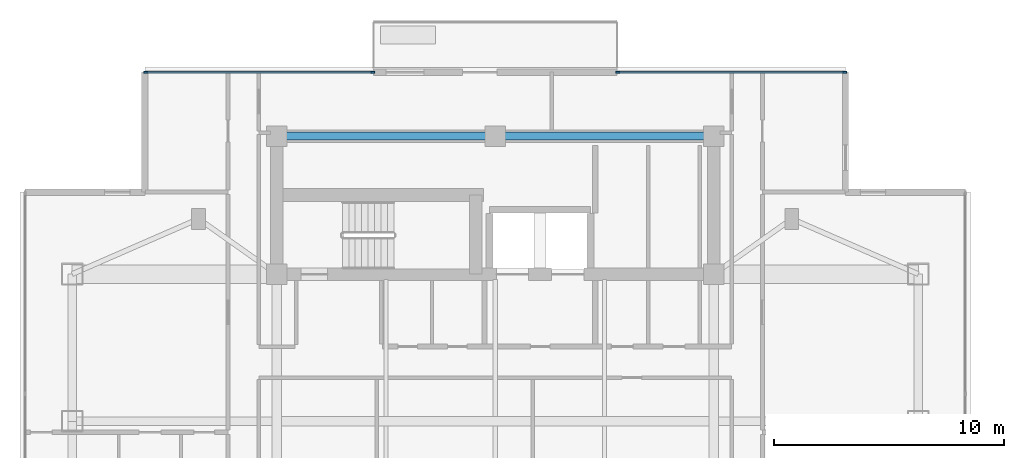
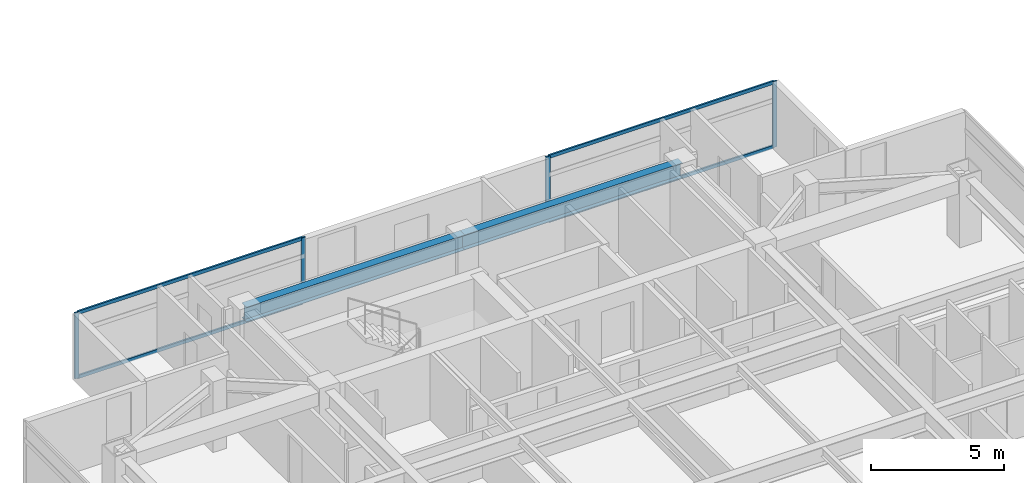
# One storey, part 7 of 24: 8 members, 2 beams, 2 elements without a shape of their own.
"""IFC4 building model written with IfcOpenShell, lengths in metres."""

from ifc_helpers import new_model, si_unit, direction, frame, origin, origin_2d, place, context, subcontext, project, spatial, rectangle, i_section, extrude, material, material_profile, profile_set, type_object, element, aggregate, save


model = new_model("IFC4")

# Units and contexts
model_context = context("Model", 3, precision=1e-05, world=origin(), true_north=direction((0.0, 1.0)))
body_context = subcontext(model_context, "Body", "Model", "MODEL_VIEW")
ifc_project = project(units=[si_unit("LENGTHUNIT", "METRE"), si_unit("AREAUNIT", "SQUARE_METRE"), si_unit("VOLUMEUNIT", "CUBIC_METRE"), si_unit("PLANEANGLEUNIT", "RADIAN"), si_unit("MASSUNIT", "GRAM", prefix="KILO")], contexts=[model_context])

# Site, building, storey
site_placement = place(None, origin())
site = spatial("IfcSite", under=ifc_project, at=site_placement, CompositionType="ELEMENT")
building_placement = place(site_placement, origin())
building = spatial("IfcBuilding", under=site, at=building_placement, Name="Mirazonda Arch Towers", CompositionType="ELEMENT")
storey_placement = place(building_placement, frame((0.0, 0.0, 196.64990234375)))
storey = spatial("IfcBuildingStorey", under=building, at=storey_placement, Name="L56", CompositionType="ELEMENT", Elevation=196.64990234375)

# Beams
ifc_material_1 = material(Name="Steel ASTM A992 Grade 50", Category="steel")
ifc_material_profile_1 = material_profile(ifc_material_1, i_section(OverallWidth=0.35498046875, OverallDepth=0.696044921875, WebThickness=0.015380859375, FlangeThickness=0.02490234375, at=origin_2d()), Name="W27X146")
ifc_profile_set_1 = profile_set([ifc_material_profile_1], Name="Steel ASTM A992 Grade 50")
beam_type = type_object("IfcBeamType", Name="BM-INT-W27X146", PredefinedType="BEAM", material=ifc_profile_set_1)
for number, where, z_axis, x_axis, name in (
    (1, (11.0, 43.60009765625, 2.7021484375), (1.0, 0.0, 0.0), (0.0, 1.0, 0.0), "L56 Floor Beam BM-T1-L56-CN1"),
    (2, (20.5, 43.60009765625, 2.7021484375), (1.0, 0.0, 0.0), (0.0, 1.0, 0.0), "L56 Floor Beam BM-T1-L56-CN2"),
):
    element("IfcBeam", number, at=place(storey_placement, frame(where, z_axis=z_axis, x_axis=x_axis)), inside=storey, type_object=beam_type, Name=name, PredefinedType="BEAM", context=body_context, shape_type="SweptSolid", body=[
        extrude(i_section(OverallWidth=0.35498046875, OverallDepth=0.696044921875, WebThickness=0.015380859375, FlangeThickness=0.02490234375, at=origin_2d()), origin(), (0.0, 0.0, 1.0), 9.5),
    ])

# Curtain wall, members
ifc_material_2 = material(Name="Anodised Aluminium and Low-E Glass", Category="aluminium")
curtain_wall_type = type_object("IfcCurtainWallType", Name="CW-RES-UNIT", PredefinedType="NOTDEFINED", material=ifc_material_2)
curtain_wall_1_placement = place(storey_placement, origin())
curtain_wall_1 = element("IfcCurtainWall", 3, at=curtain_wall_1_placement, inside=storey, type_object=curtain_wall_type, Name="L56 Curtain Wall CW-L56-T1-NA", PredefinedType="NOTDEFINED")
ifc_material_3 = material(Name="Anodised Aluminium Alloy", Category="aluminium")
ifc_material_profile_2 = material_profile(ifc_material_3, rectangle(XDim=0.074951171875, YDim=0.175048828125, at=origin_2d()), Name="ALU-MULL-75x175")
ifc_profile_set_2 = profile_set([ifc_material_profile_2], Name="Anodised Aluminium Alloy")
member_type_1 = type_object("IfcMemberType", Name="MULL-CW-RES-UNIT", PredefinedType="MULLION", material=ifc_profile_set_2)
member_1_placement = place(storey_placement, frame((5.302490234375, 46.382080078125, 0.0), z_axis=(0.0, 0.0, 1.0), x_axis=(0.0, 1.0, 0.0)))
member_1 = element("IfcMember", 4, at=member_1_placement, type_object=member_type_1, Name="CW-104 mullion 1", PredefinedType="MULLION", context=body_context, shape_type="SweptSolid", body=[
    extrude(rectangle(XDim=0.074951171875, YDim=0.175048828125, at=origin_2d()), origin(), (0.0, 0.0, 1.0), 3.030029296875),
])
member_2_placement = place(storey_placement, frame((15.172607421875, 46.382080078125, 0.0), z_axis=(0.0, 0.0, 1.0), x_axis=(0.0, 1.0, 0.0)))
member_2 = element("IfcMember", 5, at=member_2_placement, type_object=member_type_1, Name="CW-104 mullion 2", PredefinedType="MULLION", context=body_context, shape_type="SweptSolid", body=[
    extrude(rectangle(XDim=0.074951171875, YDim=0.175048828125, at=origin_2d()), origin(), (0.0, 0.0, 1.0), 3.030029296875),
])

curtain_wall_2_placement = place(storey_placement, origin())
curtain_wall_2 = element("IfcCurtainWall", 6, at=curtain_wall_2_placement, inside=storey, type_object=curtain_wall_type, Name="L56 Curtain Wall CW-L56-T1-NB", PredefinedType="NOTDEFINED")
member_3_placement = place(storey_placement, frame((25.827392578125, 46.382080078125, 0.0), z_axis=(0.0, 0.0, 1.0), x_axis=(0.0, 1.0, 0.0)))
member_3 = element("IfcMember", 7, at=member_3_placement, type_object=member_type_1, Name="CW-104 mullion 1", PredefinedType="MULLION", context=body_context, shape_type="SweptSolid", body=[
    extrude(rectangle(XDim=0.074951171875, YDim=0.175048828125, at=origin_2d()), origin(), (0.0, 0.0, 1.0), 3.030029296875),
])
member_4_placement = place(storey_placement, frame((35.697509765625, 46.382080078125, 0.0), z_axis=(0.0, 0.0, 1.0), x_axis=(0.0, 1.0, 0.0)))
member_4 = element("IfcMember", 8, at=member_4_placement, type_object=member_type_1, Name="CW-104 mullion 2", PredefinedType="MULLION", context=body_context, shape_type="SweptSolid", body=[
    extrude(rectangle(XDim=0.074951171875, YDim=0.175048828125, at=origin_2d()), origin(), (0.0, 0.0, 1.0), 3.030029296875),
])

# Member
ifc_material_profile_3 = material_profile(ifc_material_3, rectangle(XDim=0.074951171875, YDim=0.155029296875, at=origin_2d()), Name="ALU-TRAN-75x155")
ifc_profile_set_3 = profile_set([ifc_material_profile_3], Name="Anodised Aluminium Alloy")
member_type_2 = type_object("IfcMemberType", Name="TRAN-CW-RES-UNIT", PredefinedType="USERDEFINED", material=ifc_profile_set_3)
member_5_placement = place(storey_placement, frame((5.340087890625, 46.382080078125, 0.03759765625), z_axis=(1.0, 0.0, 0.0), x_axis=(0.0, 1.0, 0.0)))
member_5 = element("IfcMember", 9, at=member_5_placement, type_object=member_type_2, Name="CW-104 transom 1.1", ObjectType="TRANSOM", PredefinedType="USERDEFINED", context=body_context, shape_type="SweptSolid", body=[
    extrude(rectangle(XDim=0.074951171875, YDim=0.155029296875, at=origin_2d()), origin(), (0.0, 0.0, 1.0), 9.794921875),
])

member_6_placement = place(storey_placement, frame((5.340087890625, 46.382080078125, 2.99267578125), z_axis=(1.0, 0.0, 0.0), x_axis=(0.0, 1.0, 0.0)))
member_6 = element("IfcMember", 10, at=member_6_placement, type_object=member_type_2, Name="CW-104 transom 1.2", ObjectType="TRANSOM", PredefinedType="USERDEFINED", context=body_context, shape_type="SweptSolid", body=[
    extrude(rectangle(XDim=0.074951171875, YDim=0.155029296875, at=origin_2d()), origin(), (0.0, 0.0, 1.0), 9.794921875),
])

aggregate(curtain_wall_1, [member_1, member_2, member_5, member_6])

member_7_placement = place(storey_placement, frame((25.864990234375, 46.382080078125, 0.03759765625), z_axis=(1.0, 0.0, 0.0), x_axis=(0.0, 1.0, 0.0)))
member_7 = element("IfcMember", 11, at=member_7_placement, type_object=member_type_2, Name="CW-104 transom 1.1", ObjectType="TRANSOM", PredefinedType="USERDEFINED", context=body_context, shape_type="SweptSolid", body=[
    extrude(rectangle(XDim=0.074951171875, YDim=0.155029296875, at=origin_2d()), origin(), (0.0, 0.0, 1.0), 9.794921875),
])

member_8_placement = place(storey_placement, frame((25.864990234375, 46.382080078125, 2.99267578125), z_axis=(1.0, 0.0, 0.0), x_axis=(0.0, 1.0, 0.0)))
member_8 = element("IfcMember", 12, at=member_8_placement, type_object=member_type_2, Name="CW-104 transom 1.2", ObjectType="TRANSOM", PredefinedType="USERDEFINED", context=body_context, shape_type="SweptSolid", body=[
    extrude(rectangle(XDim=0.074951171875, YDim=0.155029296875, at=origin_2d()), origin(), (0.0, 0.0, 1.0), 9.794921875),
])

aggregate(curtain_wall_2, [member_3, member_4, member_7, member_8])

save(model, "model.ifc")
